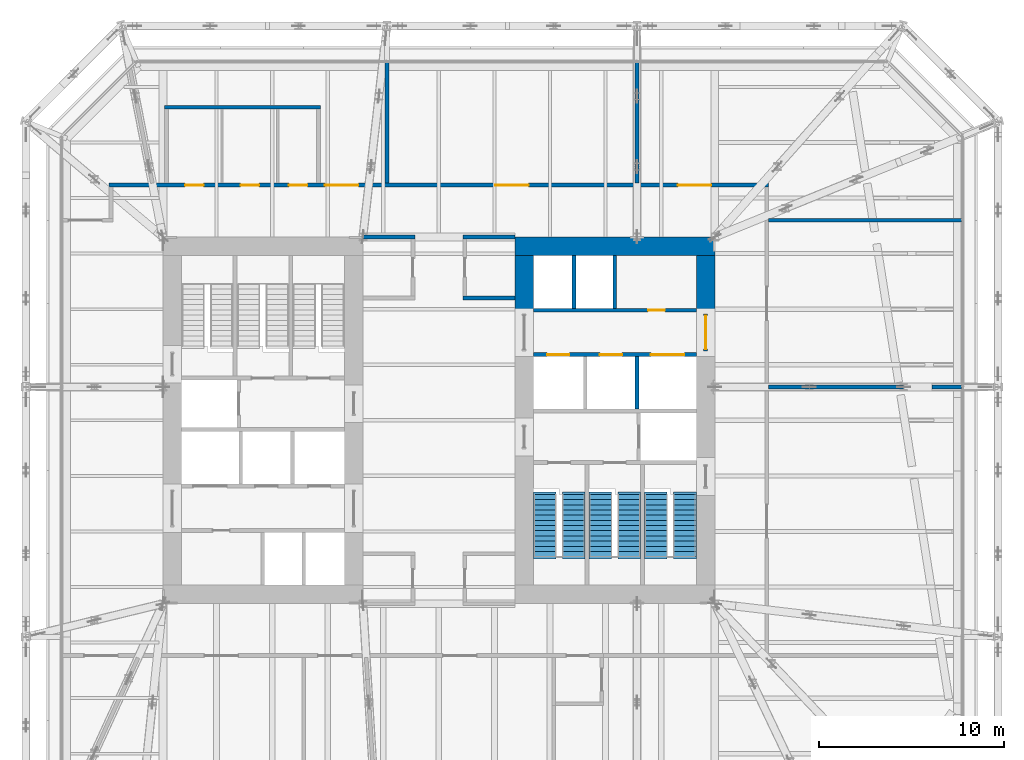
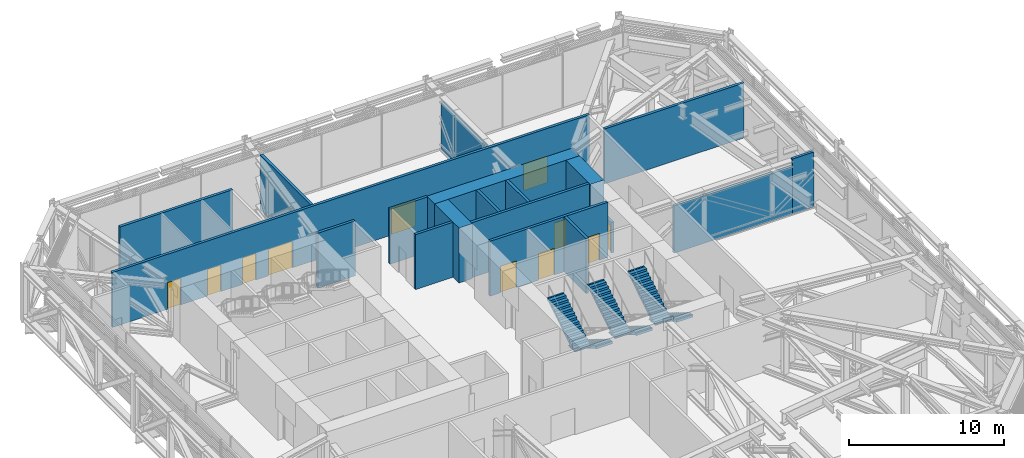
# One storey, part 23 of 31: 19 walls, 11 doors, 6 stair flights, 11 openings, 3 elements without a shape of their own.
"""IFC4 building model written with IfcOpenShell, lengths in metres."""

from ifc_helpers import new_model, si_unit, direction, frame, frame_2d, origin, place, context, subcontext, project, spatial, polyline, rectangle, outline, extrude, material, layer, layer_set, type_object, element, fill, aggregate, save


model = new_model("IFC4")

# Units and contexts
model_context = context("Model", 3, precision=1e-05, world=origin(), true_north=direction((0.0, 1.0)))
body_context = subcontext(model_context, "Body", "Model", "MODEL_VIEW")
ifc_project = project(units=[si_unit("LENGTHUNIT", "METRE"), si_unit("AREAUNIT", "SQUARE_METRE"), si_unit("VOLUMEUNIT", "CUBIC_METRE"), si_unit("PLANEANGLEUNIT", "RADIAN"), si_unit("MASSUNIT", "GRAM", prefix="KILO")], contexts=[model_context])

# Site, building, storey
site_placement = place(None, origin())
site = spatial("IfcSite", under=ifc_project, at=site_placement, CompositionType="ELEMENT")
building_placement = place(site_placement, origin())
building = spatial("IfcBuilding", under=site, at=building_placement, Name="Millrace Tower", CompositionType="ELEMENT")
storey_placement = place(building_placement, frame((0.0, 0.0, 120.39990234375)))
storey = spatial("IfcBuildingStorey", under=building, at=storey_placement, Name="L26", CompositionType="ELEMENT", Elevation=120.39990234375)

# Walls
ifc_material_1 = material(Name="Concrete C80", Category="concrete")
ifc_layer_1 = layer(ifc_material_1, 1.0)
ifc_layer_set_1 = layer_set([ifc_layer_1], Name="Concrete C80")
wall_type_1 = type_object("IfcWallType", Name="Core wall 1000 Concrete C80", PredefinedType="SHEAR", material=ifc_layer_set_1)
wall_1_placement = place(storey_placement, frame((14.89990234375, 9.39990234375, 0.0), z_axis=(0.0, 0.0, 1.0), x_axis=(-1.0, 0.0, 0.0)))
element("IfcWall", 1, at=wall_1_placement, inside=storey, type_object=wall_type_1, Name="Core wall E L26", PredefinedType="SHEAR", context=body_context, shape_type="SweptSolid", body=[
    extrude(rectangle(XDim=10.7998046875, YDim=1.0, at=frame_2d((5.39990234375, 0.0))), origin(), (0.0, 0.0, 1.0), 4.340087890625),
])
for number, where, z_axis, x_axis, name in (
    (2, (14.39990234375, 8.89990234375, 0.0), (0.0, 0.0, 1.0), (0.0, -1.0, 0.0), "Core wall E L26"),
    (3, (4.60009765625, 8.89990234375, 0.0), (0.0, 0.0, 1.0), (0.0, -1.0, 0.0), "Core wall E L26"),
):
    element("IfcWall", number, at=place(storey_placement, frame(where, z_axis=z_axis, x_axis=x_axis)), inside=storey, type_object=wall_type_1, Name=name, PredefinedType="SHEAR", context=body_context, shape_type="SweptSolid", body=[
        extrude(rectangle(XDim=3.14990234375, YDim=1.0, at=frame_2d((1.574951171875, 0.0))), origin(), (0.0, 0.0, 1.0), 4.340087890625),
    ])
ifc_material_2 = material(Name="Masonry partition, fire-rated", Category="masonry")
ifc_layer_2 = layer(ifc_material_2, 0.199951171875)
ifc_layer_set_2 = layer_set([ifc_layer_2], Name="Masonry partition, fire-rated")
wall_type_2 = type_object("IfcWallType", Name="Corridor wall 200", PredefinedType="PARTITIONING", material=ifc_layer_set_2)
wall_2_placement = place(storey_placement, frame((17.800048828125, 1.800048828125, 0.0), z_axis=(0.0, 0.0, 1.0), x_axis=(1.0, 0.0, 0.0)))
element("IfcWall", 4, at=wall_2_placement, inside=storey, type_object=wall_type_2, Name="Corridor wall L26", PredefinedType="PARTITIONING", context=body_context, shape_type="SweptSolid", body=[
    extrude(rectangle(XDim=8.833251953125, YDim=0.199951171875, at=frame_2d((4.41650390625, 0.0))), origin(), (0.0, 0.0, 1.0), 3.7421875),
])
wall_3_placement = place(storey_placement, frame((26.63330078125, 1.800048828125, 0.0), z_axis=(0.0, 0.0, 1.0), x_axis=(1.0, 0.0, 0.0)))
element("IfcWall", 5, at=wall_3_placement, inside=storey, type_object=wall_type_2, Name="Corridor wall L26", PredefinedType="PARTITIONING", context=body_context, shape_type="SweptSolid", body=[
    extrude(rectangle(XDim=1.5966796875, YDim=0.199951171875, at=frame_2d((0.79833984375, 0.0))), origin(), (0.0, 0.0, 1.0), 4.340087890625),
])
for number, where, z_axis, x_axis, name in (
    (6, (1.300048828125, 6.60009765625, 0.0), (0.0, 0.0, 1.0), (1.0, 0.0, 0.0), "Corridor wall L26"),
    (7, (-4.10009765625, 9.89990234375, 0.0), (0.0, 0.0, 1.0), (1.0, 0.0, 0.0), "Corridor wall L26"),
    (8, (1.300048828125, 9.89990234375, 0.0), (0.0, 0.0, 1.0), (1.0, 0.0, 0.0), "Corridor wall L26"),
):
    element("IfcWall", number, at=place(storey_placement, frame(where, z_axis=z_axis, x_axis=x_axis)), inside=storey, type_object=wall_type_2, Name=name, PredefinedType="PARTITIONING", context=body_context, shape_type="SweptSolid", body=[
        extrude(rectangle(XDim=2.800048828125, YDim=0.199951171875, at=frame_2d((1.39990234375, 0.0))), origin(), (0.0, 0.0, 1.0), 4.340087890625),
    ])
wall_4_placement = place(storey_placement, frame((17.800048828125, 10.800048828125, 0.0), z_axis=(0.0, 0.0, 1.0), x_axis=(1.0, 0.0, 0.0)))
element("IfcWall", 9, at=wall_4_placement, inside=storey, type_object=wall_type_2, Name="Corridor wall L26", PredefinedType="PARTITIONING", context=body_context, shape_type="SweptSolid", body=[
    extrude(rectangle(XDim=10.429931640625, YDim=0.199951171875, at=frame_2d((5.21484375, 0.0))), origin(), (0.0, 0.0, 1.0), 4.340087890625),
])

# Wall, openings, doors
wall_5_placement = place(storey_placement, frame((-17.800048828125, 12.699951171875, 0.0), z_axis=(0.0, 0.0, 1.0), x_axis=(1.0, 0.0, 0.0)))
wall_5 = element("IfcWall", 10, at=wall_5_placement, inside=storey, type_object=wall_type_2, Name="Corridor wall L26", PredefinedType="PARTITIONING", context=body_context, shape_type="SweptSolid", body=[
    extrude(rectangle(XDim=35.60009765625, YDim=0.199951171875, at=frame_2d((17.800048828125, 0.0))), origin(), (0.0, 0.0, 1.0), 4.340087890625),
])
opening_1_placement = place(wall_5_placement, frame((11.64990234375, 0.0, 0.0)))
opening_1 = element("IfcOpeningElement", 11, at=opening_1_placement, cuts=wall_5, Name="Opening 26-P012", PredefinedType="OPENING", context=body_context, shape_type="SweptSolid", body=[
    extrude(rectangle(XDim=1.800048828125, YDim=2.10009765625, at=frame_2d((0.89990234375, 1.050048828125))), frame((0.0, 0.10986328125, 0.0), z_axis=(0.0, -1.0, 0.0), x_axis=(1.0, 0.0, 0.0)), (0.0, 0.0, 1.0), 0.219970703125),
])
opening_2_placement = place(wall_5_placement, frame((4.10009765625, 0.0, 0.0)))
opening_2 = element("IfcOpeningElement", 12, at=opening_2_placement, cuts=wall_5, Name="Opening 26-P013", PredefinedType="OPENING", context=body_context, shape_type="SweptSolid", body=[
    extrude(rectangle(XDim=1.0, YDim=2.10009765625, at=frame_2d((0.5, 1.050048828125))), frame((0.0, 0.10986328125, 0.0), z_axis=(0.0, -1.0, 0.0), x_axis=(1.0, 0.0, 0.0)), (0.0, 0.0, 1.0), 0.219970703125),
])
opening_3_placement = place(wall_5_placement, frame((7.10009765625, 0.0, 0.0)))
opening_3 = element("IfcOpeningElement", 13, at=opening_3_placement, cuts=wall_5, Name="Opening 26-P014", PredefinedType="OPENING", context=body_context, shape_type="SweptSolid", body=[
    extrude(rectangle(XDim=1.0, YDim=2.10009765625, at=frame_2d((0.5, 1.050048828125))), frame((0.0, 0.10986328125, 0.0), z_axis=(0.0, -1.0, 0.0), x_axis=(1.0, 0.0, 0.0)), (0.0, 0.0, 1.0), 0.219970703125),
])
opening_4_placement = place(wall_5_placement, frame((9.699951171875, 0.0, 0.0)))
opening_4 = element("IfcOpeningElement", 14, at=opening_4_placement, cuts=wall_5, Name="Opening 26-P015", PredefinedType="OPENING", context=body_context, shape_type="SweptSolid", body=[
    extrude(rectangle(XDim=1.0, YDim=2.10009765625, at=frame_2d((0.5, 1.050048828125))), frame((0.0, 0.10986328125, 0.0), z_axis=(0.0, -1.0, 0.0), x_axis=(1.0, 0.0, 0.0)), (0.0, 0.0, 1.0), 0.219970703125),
])
opening_5_placement = place(wall_5_placement, frame((20.85009765625, 0.0, 0.0)))
opening_5 = element("IfcOpeningElement", 15, at=opening_5_placement, cuts=wall_5, Name="Opening 26-P016", PredefinedType="OPENING", context=body_context, shape_type="SweptSolid", body=[
    extrude(rectangle(XDim=1.800048828125, YDim=2.10009765625, at=frame_2d((0.89990234375, 1.050048828125))), frame((0.0, 0.10986328125, 0.0), z_axis=(0.0, -1.0, 0.0), x_axis=(1.0, 0.0, 0.0)), (0.0, 0.0, 1.0), 0.219970703125),
])
opening_6_placement = place(wall_5_placement, frame((30.699951171875, 0.0, 0.0)))
opening_6 = element("IfcOpeningElement", 16, at=opening_6_placement, cuts=wall_5, Name="Opening 26-P017", PredefinedType="OPENING", context=body_context, shape_type="SweptSolid", body=[
    extrude(rectangle(XDim=1.800048828125, YDim=2.10009765625, at=frame_2d((0.89990234375, 1.050048828125))), frame((0.0, 0.10986328125, 0.0), z_axis=(0.0, -1.0, 0.0), x_axis=(1.0, 0.0, 0.0)), (0.0, 0.0, 1.0), 0.219970703125),
])
ifc_material_3 = material(Name="Steel door set, fire-rated", Category="steel")
door_type_1 = type_object("IfcDoorType", Name="Corridor door 1000 x 2100", OperationType="SINGLE_SWING_LEFT", PredefinedType="DOOR", material=ifc_material_3)
door_1_placement = place(opening_2_placement, origin())
door_1 = element("IfcDoor", 17, at=door_1_placement, inside=storey, type_object=door_type_1, Name="Door 26-P013", OperationType="SINGLE_SWING_LEFT", OverallHeight=2.10009765625, OverallWidth=1.0, PredefinedType="DOOR", context=body_context, shape_type="SweptSolid", body=[
    extrude(rectangle(XDim=1.0, YDim=2.10009765625, at=frame_2d((0.5, 1.050048828125))), frame((0.0, 0.02490234375, 0.0), z_axis=(0.0, -1.0, 0.0), x_axis=(1.0, 0.0, 0.0)), (0.0, 0.0, 1.0), 0.050048828125),
])
fill(opening_2, door_1)
door_2_placement = place(opening_3_placement, origin())
door_2 = element("IfcDoor", 18, at=door_2_placement, inside=storey, type_object=door_type_1, Name="Door 26-P014", OperationType="SINGLE_SWING_LEFT", OverallHeight=2.10009765625, OverallWidth=1.0, PredefinedType="DOOR", context=body_context, shape_type="SweptSolid", body=[
    extrude(rectangle(XDim=1.0, YDim=2.10009765625, at=frame_2d((0.5, 1.050048828125))), frame((0.0, 0.02490234375, 0.0), z_axis=(0.0, -1.0, 0.0), x_axis=(1.0, 0.0, 0.0)), (0.0, 0.0, 1.0), 0.050048828125),
])
fill(opening_3, door_2)
door_3_placement = place(opening_4_placement, origin())
door_3 = element("IfcDoor", 19, at=door_3_placement, inside=storey, type_object=door_type_1, Name="Door 26-P015", OperationType="SINGLE_SWING_LEFT", OverallHeight=2.10009765625, OverallWidth=1.0, PredefinedType="DOOR", context=body_context, shape_type="SweptSolid", body=[
    extrude(rectangle(XDim=1.0, YDim=2.10009765625, at=frame_2d((0.5, 1.050048828125))), frame((0.0, 0.02490234375, 0.0), z_axis=(0.0, -1.0, 0.0), x_axis=(1.0, 0.0, 0.0)), (0.0, 0.0, 1.0), 0.050048828125),
])
fill(opening_4, door_3)
ifc_material_4 = material(Name="Steel door set, fire-rated", Category="steel")
door_type_2 = type_object("IfcDoorType", Name="Plant room door 1800 x 2100", OperationType="DOUBLE_DOOR_SINGLE_SWING", PredefinedType="DOOR", material=ifc_material_4)
door_4_placement = place(opening_1_placement, origin())
door_4 = element("IfcDoor", 20, at=door_4_placement, inside=storey, type_object=door_type_2, Name="Door 26-P012", OperationType="DOUBLE_DOOR_SINGLE_SWING", OverallHeight=2.10009765625, OverallWidth=1.800048828125, PredefinedType="DOOR", context=body_context, shape_type="SweptSolid", body=[
    extrude(rectangle(XDim=1.800048828125, YDim=2.10009765625, at=frame_2d((0.89990234375, 1.050048828125))), frame((0.0, 0.02490234375, 0.0), z_axis=(0.0, -1.0, 0.0), x_axis=(1.0, 0.0, 0.0)), (0.0, 0.0, 1.0), 0.050048828125),
])
fill(opening_1, door_4)
door_5_placement = place(opening_5_placement, origin())
door_5 = element("IfcDoor", 21, at=door_5_placement, inside=storey, type_object=door_type_2, Name="Door 26-P016", OperationType="DOUBLE_DOOR_SINGLE_SWING", OverallHeight=2.10009765625, OverallWidth=1.800048828125, PredefinedType="DOOR", context=body_context, shape_type="SweptSolid", body=[
    extrude(rectangle(XDim=1.800048828125, YDim=2.10009765625, at=frame_2d((0.89990234375, 1.050048828125))), frame((0.0, 0.02490234375, 0.0), z_axis=(0.0, -1.0, 0.0), x_axis=(1.0, 0.0, 0.0)), (0.0, 0.0, 1.0), 0.050048828125),
])
fill(opening_5, door_5)
door_6_placement = place(opening_6_placement, origin())
door_6 = element("IfcDoor", 22, at=door_6_placement, inside=storey, type_object=door_type_2, Name="Door 26-P017", OperationType="DOUBLE_DOOR_SINGLE_SWING", OverallHeight=2.10009765625, OverallWidth=1.800048828125, PredefinedType="DOOR", context=body_context, shape_type="SweptSolid", body=[
    extrude(rectangle(XDim=1.800048828125, YDim=2.10009765625, at=frame_2d((0.89990234375, 1.050048828125))), frame((0.0, 0.02490234375, 0.0), z_axis=(0.0, -1.0, 0.0), x_axis=(1.0, 0.0, 0.0)), (0.0, 0.0, 1.0), 0.050048828125),
])
fill(opening_6, door_6)

# Walls
wall_6_placement = place(storey_placement, frame((-14.800048828125, 16.89990234375, 0.0), z_axis=(0.0, 0.0, 1.0), x_axis=(1.0, 0.0, 0.0)))
element("IfcWall", 23, at=wall_6_placement, inside=storey, type_object=wall_type_2, Name="Corridor wall L26", PredefinedType="PARTITIONING", context=body_context, shape_type="SweptSolid", body=[
    extrude(rectangle(XDim=8.400146484375, YDim=0.199951171875, at=frame_2d((4.2001953125, 0.0))), origin(), (0.0, 0.0, 1.0), 4.340087890625),
])
wall_7_placement = place(storey_placement, frame((10.699951171875, 12.800048828125, 0.0), z_axis=(0.0, 0.0, 1.0), x_axis=(0.0, 1.0, 0.0)))
element("IfcWall", 24, at=wall_7_placement, inside=storey, type_object=wall_type_2, Name="Corridor wall L26", PredefinedType="PARTITIONING", context=body_context, shape_type="SweptSolid", body=[
    extrude(rectangle(XDim=6.530029296875, YDim=0.199951171875, at=frame_2d((3.26513671875, 0.0))), origin(), (0.0, 0.0, 1.0), 3.7421875),
])
wall_8_placement = place(storey_placement, frame((-2.800048828125, 12.800048828125, 0.0), z_axis=(0.0, 0.0, 1.0), x_axis=(0.0, 1.0, 0.0)))
element("IfcWall", 25, at=wall_8_placement, inside=storey, type_object=wall_type_2, Name="Corridor wall L26", PredefinedType="PARTITIONING", context=body_context, shape_type="SweptSolid", body=[
    extrude(rectangle(XDim=6.530029296875, YDim=0.199951171875, at=frame_2d((3.26513671875, 0.0))), origin(), (0.0, 0.0, 1.0), 4.340087890625),
])

# Wall, opening, door
ifc_material_5 = material(Name="Masonry partition, fire-rated", Category="masonry")
ifc_layer_3 = layer(ifc_material_5, 0.199951171875)
ifc_layer_set_3 = layer_set([ifc_layer_3], Name="Masonry partition, fire-rated")
wall_type_3 = type_object("IfcWallType", Name="Lift shaft wall 200", PredefinedType="PARTITIONING", material=ifc_layer_set_3)
wall_9_placement = place(storey_placement, frame((13.89990234375, 5.949951171875, 0.0), z_axis=(0.0, 0.0, 1.0), x_axis=(-1.0, 0.0, 0.0)))
wall_9 = element("IfcWall", 26, at=wall_9_placement, inside=storey, type_object=wall_type_3, Name="Lift shaft wall E L26", PredefinedType="PARTITIONING", context=body_context, shape_type="SweptSolid", body=[
    extrude(rectangle(XDim=8.7998046875, YDim=0.199951171875, at=frame_2d((4.39990234375, 0.0))), origin(), (0.0, 0.0, 1.0), 4.340087890625),
])
opening_7_placement = place(wall_9_placement, frame((1.699951171875, 0.0, 0.0)))
opening_7 = element("IfcOpeningElement", 27, at=opening_7_placement, cuts=wall_9, Name="Opening 26-C012", PredefinedType="OPENING", context=body_context, shape_type="SweptSolid", body=[
    extrude(rectangle(XDim=0.89990234375, YDim=2.10009765625, at=frame_2d((0.449951171875, 1.050048828125))), frame((0.0, 0.10986328125, 0.0), z_axis=(0.0, -1.0, 0.0), x_axis=(1.0, 0.0, 0.0)), (0.0, 0.0, 1.0), 0.219970703125),
])
ifc_material_6 = material(Name="Steel door, fire-rated", Category="steel")
door_type_3 = type_object("IfcDoorType", Name="Service room door 900 x 2100", OperationType="SINGLE_SWING_LEFT", PredefinedType="DOOR", material=ifc_material_6)
door_7_placement = place(opening_7_placement, frame((0.89990234375, 0.0, 0.0), z_axis=(0.0, 0.0, 1.0), x_axis=(-1.0, 0.0, 0.0)))
door_7 = element("IfcDoor", 28, at=door_7_placement, inside=storey, type_object=door_type_3, Name="Service room door 26-C012", OperationType="SINGLE_SWING_RIGHT", OverallHeight=2.10009765625, OverallWidth=0.89990234375, PredefinedType="DOOR", context=body_context, shape_type="SweptSolid", body=[
    extrude(rectangle(XDim=0.89990234375, YDim=2.10009765625, at=frame_2d((0.449951171875, 1.050048828125))), frame((0.0, 0.02490234375, 0.0), z_axis=(0.0, -1.0, 0.0), x_axis=(1.0, 0.0, 0.0)), (0.0, 0.0, 1.0), 0.050048828125),
])
fill(opening_7, door_7)

# Wall, openings, doors
wall_10_placement = place(storey_placement, frame((13.89990234375, 3.550048828125, 0.0), z_axis=(0.0, 0.0, 1.0), x_axis=(-1.0, 0.0, 0.0)))
wall_10 = element("IfcWall", 29, at=wall_10_placement, inside=storey, type_object=wall_type_3, Name="Lift shaft wall E L26", PredefinedType="PARTITIONING", context=body_context, shape_type="SweptSolid", body=[
    extrude(rectangle(XDim=8.7998046875, YDim=0.199951171875, at=frame_2d((4.39990234375, 0.0))), origin(), (0.0, 0.0, 1.0), 4.340087890625),
])
opening_8_placement = place(wall_10_placement, frame((0.64990234375, 0.0, 0.0)))
opening_8 = element("IfcOpeningElement", 30, at=opening_8_placement, cuts=wall_10, Name="Opening 26-LD13", PredefinedType="OPENING", context=body_context, shape_type="SweptSolid", body=[
    extrude(rectangle(XDim=1.800048828125, YDim=2.10009765625, at=frame_2d((0.89990234375, 1.050048828125))), frame((0.0, 0.10986328125, 0.0), z_axis=(0.0, -1.0, 0.0), x_axis=(1.0, 0.0, 0.0)), (0.0, 0.0, 1.0), 0.219970703125),
])
opening_9_placement = place(wall_10_placement, frame((4.0, 0.0, 0.0)))
opening_9 = element("IfcOpeningElement", 31, at=opening_9_placement, cuts=wall_10, Name="Opening 26-LD14", PredefinedType="OPENING", context=body_context, shape_type="SweptSolid", body=[
    extrude(rectangle(XDim=1.199951171875, YDim=2.10009765625, at=frame_2d((0.60009765625, 1.050048828125))), frame((0.0, 0.10986328125, 0.0), z_axis=(0.0, -1.0, 0.0), x_axis=(1.0, 0.0, 0.0)), (0.0, 0.0, 1.0), 0.219970703125),
])
opening_10_placement = place(wall_10_placement, frame((6.85009765625, 0.0, 0.0)))
opening_10 = element("IfcOpeningElement", 32, at=opening_10_placement, cuts=wall_10, Name="Opening 26-LD15", PredefinedType="OPENING", context=body_context, shape_type="SweptSolid", body=[
    extrude(rectangle(XDim=1.199951171875, YDim=2.10009765625, at=frame_2d((0.60009765625, 1.050048828125))), frame((0.0, 0.10986328125, 0.0), z_axis=(0.0, -1.0, 0.0), x_axis=(1.0, 0.0, 0.0)), (0.0, 0.0, 1.0), 0.219970703125),
])
ifc_material_7 = material(Name="Stainless steel, fire-rated", Category="steel")
door_type_4 = type_object("IfcDoorType", Name="Lift landing door 1200 x 2100", OperationType="DOUBLE_DOOR_SLIDING", PredefinedType="DOOR", material=ifc_material_7)
door_8_placement = place(opening_9_placement, origin())
door_8 = element("IfcDoor", 33, at=door_8_placement, inside=storey, type_object=door_type_4, Name="Lift landing door LF14 L26", OperationType="DOUBLE_DOOR_SLIDING", OverallHeight=2.10009765625, OverallWidth=1.199951171875, PredefinedType="DOOR", context=body_context, shape_type="SweptSolid", body=[
    extrude(rectangle(XDim=1.199951171875, YDim=2.10009765625, at=frame_2d((0.60009765625, 1.050048828125))), frame((0.0, 0.02490234375, 0.0), z_axis=(0.0, -1.0, 0.0), x_axis=(1.0, 0.0, 0.0)), (0.0, 0.0, 1.0), 0.050048828125),
])
fill(opening_9, door_8)
door_9_placement = place(opening_10_placement, origin())
door_9 = element("IfcDoor", 34, at=door_9_placement, inside=storey, type_object=door_type_4, Name="Lift landing door LF15 L26", OperationType="DOUBLE_DOOR_SLIDING", OverallHeight=2.10009765625, OverallWidth=1.199951171875, PredefinedType="DOOR", context=body_context, shape_type="SweptSolid", body=[
    extrude(rectangle(XDim=1.199951171875, YDim=2.10009765625, at=frame_2d((0.60009765625, 1.050048828125))), frame((0.0, 0.02490234375, 0.0), z_axis=(0.0, -1.0, 0.0), x_axis=(1.0, 0.0, 0.0)), (0.0, 0.0, 1.0), 0.050048828125),
])
fill(opening_10, door_9)
ifc_material_8 = material(Name="Stainless steel, fire-rated", Category="steel")
door_type_5 = type_object("IfcDoorType", Name="Lift landing door 1800 x 2100", OperationType="DOUBLE_DOOR_SLIDING", PredefinedType="DOOR", material=ifc_material_8)
door_10_placement = place(opening_8_placement, origin())
door_10 = element("IfcDoor", 35, at=door_10_placement, inside=storey, type_object=door_type_5, Name="Lift landing door LF13 L26", OperationType="DOUBLE_DOOR_SLIDING", OverallHeight=2.10009765625, OverallWidth=1.800048828125, PredefinedType="DOOR", context=body_context, shape_type="SweptSolid", body=[
    extrude(rectangle(XDim=1.800048828125, YDim=2.10009765625, at=frame_2d((0.89990234375, 1.050048828125))), frame((0.0, 0.02490234375, 0.0), z_axis=(0.0, -1.0, 0.0), x_axis=(1.0, 0.0, 0.0)), (0.0, 0.0, 1.0), 0.050048828125),
])
fill(opening_8, door_10)

# Walls
for number, where, z_axis, x_axis, name in (
    (36, (9.5, 8.89990234375, 0.0), (0.0, 0.0, 1.0), (0.0, -1.0, 0.0), "Lift shaft wall E L26"),
    (37, (7.300048828125, 8.89990234375, 0.0), (0.0, 0.0, 1.0), (0.0, -1.0, 0.0), "Lift shaft wall E L26"),
    (38, (10.699951171875, 3.449951171875, 0.0), (0.0, 0.0, 1.0), (0.0, -1.0, 0.0), "Lift shaft wall E L26"),
):
    element("IfcWall", number, at=place(storey_placement, frame(where, z_axis=z_axis, x_axis=x_axis)), inside=storey, type_object=wall_type_3, Name=name, PredefinedType="PARTITIONING", context=body_context, shape_type="SweptSolid", body=[
        extrude(rectangle(XDim=2.849853515625, YDim=0.199951171875, at=frame_2d((1.4248046875, 0.0))), origin(), (0.0, 0.0, 1.0), 4.340087890625),
    ])

# Wall, opening, door
ifc_material_9 = material(Name="Masonry partition, fire-rated", Category="masonry")
ifc_layer_4 = layer(ifc_material_9, 0.199951171875)
ifc_layer_set_4 = layer_set([ifc_layer_4], Name="Masonry partition, fire-rated")
wall_type_4 = type_object("IfcWallType", Name="Lobby wall 200", PredefinedType="PARTITIONING", material=ifc_layer_set_4)
wall_11_placement = place(storey_placement, frame((14.39990234375, 5.75, 0.0), z_axis=(0.0, 0.0, 1.0), x_axis=(0.0, -1.0, 0.0)))
wall_11 = element("IfcWall", 39, at=wall_11_placement, inside=storey, type_object=wall_type_4, Name="Lobby wall E L26", PredefinedType="PARTITIONING", context=body_context, shape_type="SweptSolid", body=[
    extrude(rectangle(XDim=2.0, YDim=0.199951171875, at=frame_2d((1.0, 0.0))), origin(), (0.0, 0.0, 1.0), 2.400146484375),
])
opening_11_placement = place(wall_11_placement, frame((0.10009765625, 0.0, 0.0)))
opening_11 = element("IfcOpeningElement", 40, at=opening_11_placement, cuts=wall_11, Name="Opening 26-C008", PredefinedType="OPENING", context=body_context, shape_type="SweptSolid", body=[
    extrude(rectangle(XDim=1.800048828125, YDim=2.10009765625, at=frame_2d((0.89990234375, 1.050048828125))), frame((0.0, 0.10986328125, 0.0), z_axis=(0.0, -1.0, 0.0), x_axis=(1.0, 0.0, 0.0)), (0.0, 0.0, 1.0), 0.219970703125),
])
ifc_material_10 = material(Name="Steel door, fire-rated", Category="steel")
door_type_6 = type_object("IfcDoorType", Name="Lobby door 1800 x 2100", OperationType="DOUBLE_DOOR_SINGLE_SWING", PredefinedType="DOOR", material=ifc_material_10)
door_11_placement = place(opening_11_placement, origin())
door_11 = element("IfcDoor", 41, at=door_11_placement, inside=storey, type_object=door_type_6, Name="Lobby door 26-C008", OperationType="DOUBLE_DOOR_SINGLE_SWING", OverallHeight=2.10009765625, OverallWidth=1.800048828125, PredefinedType="DOOR", context=body_context, shape_type="SweptSolid", body=[
    extrude(rectangle(XDim=1.800048828125, YDim=2.10009765625, at=frame_2d((0.89990234375, 1.050048828125))), frame((0.0, 0.02490234375, 0.0), z_axis=(0.0, -1.0, 0.0), x_axis=(1.0, 0.0, 0.0)), (0.0, 0.0, 1.0), 0.050048828125),
])
fill(opening_11, door_11)

# Stair, stair flights
ifc_material_11 = material(Name="Concrete C35", Category="concrete")
stair_type = type_object("IfcStairType", Name="Exit stair", PredefinedType="HALF_TURN_STAIR", material=ifc_material_11)
placement = place(storey_placement, origin())
stair_1 = element("IfcStair", 42, at=placement, inside=storey, type_object=stair_type, Name="Stair 1 E L26", PredefinedType="HALF_TURN_STAIR")
ifc_material_12 = material(Name="Concrete C35", Category="concrete")
stair_flight_type = type_object("IfcStairFlightType", Name="Exit stair flight", PredefinedType="STRAIGHT", material=ifc_material_12)
stair_flight_1_placement = place(storey_placement, frame((13.2900390625, -4.0, 0.0), z_axis=(0.0, 0.0, 1.0), x_axis=(0.0, -1.0, 0.0)))
stair_flight_1 = element("IfcStairFlight", 43, at=stair_flight_1_placement, type_object=stair_flight_type, Name="ST12 flight 1", NumberOfRisers=13, NumberOfTreads=12, PredefinedType="STRAIGHT", RiserHeight=0.173076923, TreadLength=0.28, context=body_context, shape_type="SweptSolid", body=[
    extrude(outline(polyline([(-0.1201171875, -0.0400390625), (-0.1201171875, 0.0), (0.0, 0.0), (0.0, 0.173095703125), (0.280029296875, 0.173095703125), (0.280029296875, 0.34619140625), (0.56005859375, 0.34619140625), (0.56005859375, 0.519287109375), (0.840087890625, 0.519287109375), (0.840087890625, 0.6923828125), (1.1201171875, 0.6923828125), (1.1201171875, 0.865478515625), (1.39990234375, 0.865478515625), (1.39990234375, 1.03857421875), (1.679931640625, 1.03857421875), (1.679931640625, 1.21142578125), (1.9599609375, 1.21142578125), (1.9599609375, 1.384521484375), (2.239990234375, 1.384521484375), (2.239990234375, 1.5576171875), (2.52001953125, 1.5576171875), (2.52001953125, 1.730712890625), (2.800048828125, 1.730712890625), (2.800048828125, 1.90380859375), (3.080078125, 1.90380859375), (3.080078125, 2.076904296875), (3.360107421875, 2.076904296875), (3.360107421875, 2.096923828125), (3.47998046875, 2.096923828125), (3.47998046875, 1.900634765625), (3.360107421875, 1.900634765625), (0.28515625, 0.0), (0.28515625, -0.0400390625), (-0.1201171875, -0.0400390625)])), frame((0.0, 0.60986328125, 0.0), z_axis=(0.0, -1.0, 0.0), x_axis=(1.0, 0.0, 0.0)), (0.0, 0.0, 1.0), 1.219970703125),
])
stair_flight_2_placement = place(storey_placement, frame((11.7099609375, -7.360107421875, 2.25), z_axis=(0.0, 0.0, 1.0), x_axis=(0.0, 1.0, 0.0)))
stair_flight_2 = element("IfcStairFlight", 44, at=stair_flight_2_placement, type_object=stair_flight_type, Name="ST12 flight 2", NumberOfRisers=13, NumberOfTreads=12, PredefinedType="STRAIGHT", RiserHeight=0.173076923, TreadLength=0.28, context=body_context, shape_type="SweptSolid", body=[
    extrude(outline(polyline([(-0.1201171875, -0.0400390625), (-0.1201171875, 0.0), (0.0, 0.0), (0.0, 0.173095703125), (0.280029296875, 0.173095703125), (0.280029296875, 0.34619140625), (0.56005859375, 0.34619140625), (0.56005859375, 0.519287109375), (0.840087890625, 0.519287109375), (0.840087890625, 0.6923828125), (1.1201171875, 0.6923828125), (1.1201171875, 0.865478515625), (1.39990234375, 0.865478515625), (1.39990234375, 1.03857421875), (1.679931640625, 1.03857421875), (1.679931640625, 1.21142578125), (1.9599609375, 1.21142578125), (1.9599609375, 1.384521484375), (2.239990234375, 1.384521484375), (2.239990234375, 1.5576171875), (2.52001953125, 1.5576171875), (2.52001953125, 1.730712890625), (2.800048828125, 1.730712890625), (2.800048828125, 1.90380859375), (3.080078125, 1.90380859375), (3.080078125, 2.076904296875), (3.360107421875, 2.076904296875), (3.360107421875, 2.096923828125), (3.47998046875, 2.096923828125), (3.47998046875, 1.900634765625), (3.360107421875, 1.900634765625), (0.28515625, 0.0), (0.28515625, -0.0400390625), (-0.1201171875, -0.0400390625)])), frame((0.0, 0.60986328125, 0.0), z_axis=(0.0, -1.0, 0.0), x_axis=(1.0, 0.0, 0.0)), (0.0, 0.0, 1.0), 1.219970703125),
])
aggregate(stair_1, [stair_flight_1, stair_flight_2])

stair_2 = element("IfcStair", 45, at=placement, inside=storey, type_object=stair_type, Name="Stair 2 E L26", PredefinedType="HALF_TURN_STAIR")
stair_flight_3_placement = place(storey_placement, frame((10.2900390625, -4.0, 0.0), z_axis=(0.0, 0.0, 1.0), x_axis=(0.0, -1.0, 0.0)))
stair_flight_3 = element("IfcStairFlight", 46, at=stair_flight_3_placement, type_object=stair_flight_type, Name="ST12 flight 1", NumberOfRisers=13, NumberOfTreads=12, PredefinedType="STRAIGHT", RiserHeight=0.173076923, TreadLength=0.28, context=body_context, shape_type="SweptSolid", body=[
    extrude(outline(polyline([(-0.1201171875, -0.0400390625), (-0.1201171875, 0.0), (0.0, 0.0), (0.0, 0.173095703125), (0.280029296875, 0.173095703125), (0.280029296875, 0.34619140625), (0.56005859375, 0.34619140625), (0.56005859375, 0.519287109375), (0.840087890625, 0.519287109375), (0.840087890625, 0.6923828125), (1.1201171875, 0.6923828125), (1.1201171875, 0.865478515625), (1.39990234375, 0.865478515625), (1.39990234375, 1.03857421875), (1.679931640625, 1.03857421875), (1.679931640625, 1.21142578125), (1.9599609375, 1.21142578125), (1.9599609375, 1.384521484375), (2.239990234375, 1.384521484375), (2.239990234375, 1.5576171875), (2.52001953125, 1.5576171875), (2.52001953125, 1.730712890625), (2.800048828125, 1.730712890625), (2.800048828125, 1.90380859375), (3.080078125, 1.90380859375), (3.080078125, 2.076904296875), (3.360107421875, 2.076904296875), (3.360107421875, 2.096923828125), (3.47998046875, 2.096923828125), (3.47998046875, 1.900634765625), (3.360107421875, 1.900634765625), (0.28515625, 0.0), (0.28515625, -0.0400390625), (-0.1201171875, -0.0400390625)])), frame((0.0, 0.60986328125, 0.0), z_axis=(0.0, -1.0, 0.0), x_axis=(1.0, 0.0, 0.0)), (0.0, 0.0, 1.0), 1.219970703125),
])
stair_flight_4_placement = place(storey_placement, frame((8.7099609375, -7.360107421875, 2.25), z_axis=(0.0, 0.0, 1.0), x_axis=(0.0, 1.0, 0.0)))
stair_flight_4 = element("IfcStairFlight", 47, at=stair_flight_4_placement, type_object=stair_flight_type, Name="ST12 flight 2", NumberOfRisers=13, NumberOfTreads=12, PredefinedType="STRAIGHT", RiserHeight=0.173076923, TreadLength=0.28, context=body_context, shape_type="SweptSolid", body=[
    extrude(outline(polyline([(-0.1201171875, -0.0400390625), (-0.1201171875, 0.0), (0.0, 0.0), (0.0, 0.173095703125), (0.280029296875, 0.173095703125), (0.280029296875, 0.34619140625), (0.56005859375, 0.34619140625), (0.56005859375, 0.519287109375), (0.840087890625, 0.519287109375), (0.840087890625, 0.6923828125), (1.1201171875, 0.6923828125), (1.1201171875, 0.865478515625), (1.39990234375, 0.865478515625), (1.39990234375, 1.03857421875), (1.679931640625, 1.03857421875), (1.679931640625, 1.21142578125), (1.9599609375, 1.21142578125), (1.9599609375, 1.384521484375), (2.239990234375, 1.384521484375), (2.239990234375, 1.5576171875), (2.52001953125, 1.5576171875), (2.52001953125, 1.730712890625), (2.800048828125, 1.730712890625), (2.800048828125, 1.90380859375), (3.080078125, 1.90380859375), (3.080078125, 2.076904296875), (3.360107421875, 2.076904296875), (3.360107421875, 2.096923828125), (3.47998046875, 2.096923828125), (3.47998046875, 1.900634765625), (3.360107421875, 1.900634765625), (0.28515625, 0.0), (0.28515625, -0.0400390625), (-0.1201171875, -0.0400390625)])), frame((0.0, 0.60986328125, 0.0), z_axis=(0.0, -1.0, 0.0), x_axis=(1.0, 0.0, 0.0)), (0.0, 0.0, 1.0), 1.219970703125),
])
aggregate(stair_2, [stair_flight_3, stair_flight_4])

stair_3 = element("IfcStair", 48, at=placement, inside=storey, type_object=stair_type, Name="Stair 3 E L26", PredefinedType="HALF_TURN_STAIR")
stair_flight_5_placement = place(storey_placement, frame((7.2900390625, -4.0, 0.0), z_axis=(0.0, 0.0, 1.0), x_axis=(0.0, -1.0, 0.0)))
stair_flight_5 = element("IfcStairFlight", 49, at=stair_flight_5_placement, type_object=stair_flight_type, Name="ST12 flight 1", NumberOfRisers=13, NumberOfTreads=12, PredefinedType="STRAIGHT", RiserHeight=0.173076923, TreadLength=0.28, context=body_context, shape_type="SweptSolid", body=[
    extrude(outline(polyline([(-0.1201171875, -0.0400390625), (-0.1201171875, 0.0), (0.0, 0.0), (0.0, 0.173095703125), (0.280029296875, 0.173095703125), (0.280029296875, 0.34619140625), (0.56005859375, 0.34619140625), (0.56005859375, 0.519287109375), (0.840087890625, 0.519287109375), (0.840087890625, 0.6923828125), (1.1201171875, 0.6923828125), (1.1201171875, 0.865478515625), (1.39990234375, 0.865478515625), (1.39990234375, 1.03857421875), (1.679931640625, 1.03857421875), (1.679931640625, 1.21142578125), (1.9599609375, 1.21142578125), (1.9599609375, 1.384521484375), (2.239990234375, 1.384521484375), (2.239990234375, 1.5576171875), (2.52001953125, 1.5576171875), (2.52001953125, 1.730712890625), (2.800048828125, 1.730712890625), (2.800048828125, 1.90380859375), (3.080078125, 1.90380859375), (3.080078125, 2.076904296875), (3.360107421875, 2.076904296875), (3.360107421875, 2.096923828125), (3.47998046875, 2.096923828125), (3.47998046875, 1.900634765625), (3.360107421875, 1.900634765625), (0.28515625, 0.0), (0.28515625, -0.0400390625), (-0.1201171875, -0.0400390625)])), frame((0.0, 0.60986328125, 0.0), z_axis=(0.0, -1.0, 0.0), x_axis=(1.0, 0.0, 0.0)), (0.0, 0.0, 1.0), 1.219970703125),
])
stair_flight_6_placement = place(storey_placement, frame((5.7099609375, -7.360107421875, 2.25), z_axis=(0.0, 0.0, 1.0), x_axis=(0.0, 1.0, 0.0)))
stair_flight_6 = element("IfcStairFlight", 50, at=stair_flight_6_placement, type_object=stair_flight_type, Name="ST12 flight 2", NumberOfRisers=13, NumberOfTreads=12, PredefinedType="STRAIGHT", RiserHeight=0.173076923, TreadLength=0.28, context=body_context, shape_type="SweptSolid", body=[
    extrude(outline(polyline([(-0.1201171875, -0.0400390625), (-0.1201171875, 0.0), (0.0, 0.0), (0.0, 0.173095703125), (0.280029296875, 0.173095703125), (0.280029296875, 0.34619140625), (0.56005859375, 0.34619140625), (0.56005859375, 0.519287109375), (0.840087890625, 0.519287109375), (0.840087890625, 0.6923828125), (1.1201171875, 0.6923828125), (1.1201171875, 0.865478515625), (1.39990234375, 0.865478515625), (1.39990234375, 1.03857421875), (1.679931640625, 1.03857421875), (1.679931640625, 1.21142578125), (1.9599609375, 1.21142578125), (1.9599609375, 1.384521484375), (2.239990234375, 1.384521484375), (2.239990234375, 1.5576171875), (2.52001953125, 1.5576171875), (2.52001953125, 1.730712890625), (2.800048828125, 1.730712890625), (2.800048828125, 1.90380859375), (3.080078125, 1.90380859375), (3.080078125, 2.076904296875), (3.360107421875, 2.076904296875), (3.360107421875, 2.096923828125), (3.47998046875, 2.096923828125), (3.47998046875, 1.900634765625), (3.360107421875, 1.900634765625), (0.28515625, 0.0), (0.28515625, -0.0400390625), (-0.1201171875, -0.0400390625)])), frame((0.0, 0.60986328125, 0.0), z_axis=(0.0, -1.0, 0.0), x_axis=(1.0, 0.0, 0.0)), (0.0, 0.0, 1.0), 1.219970703125),
])
aggregate(stair_3, [stair_flight_5, stair_flight_6])

save(model, "model.ifc")
